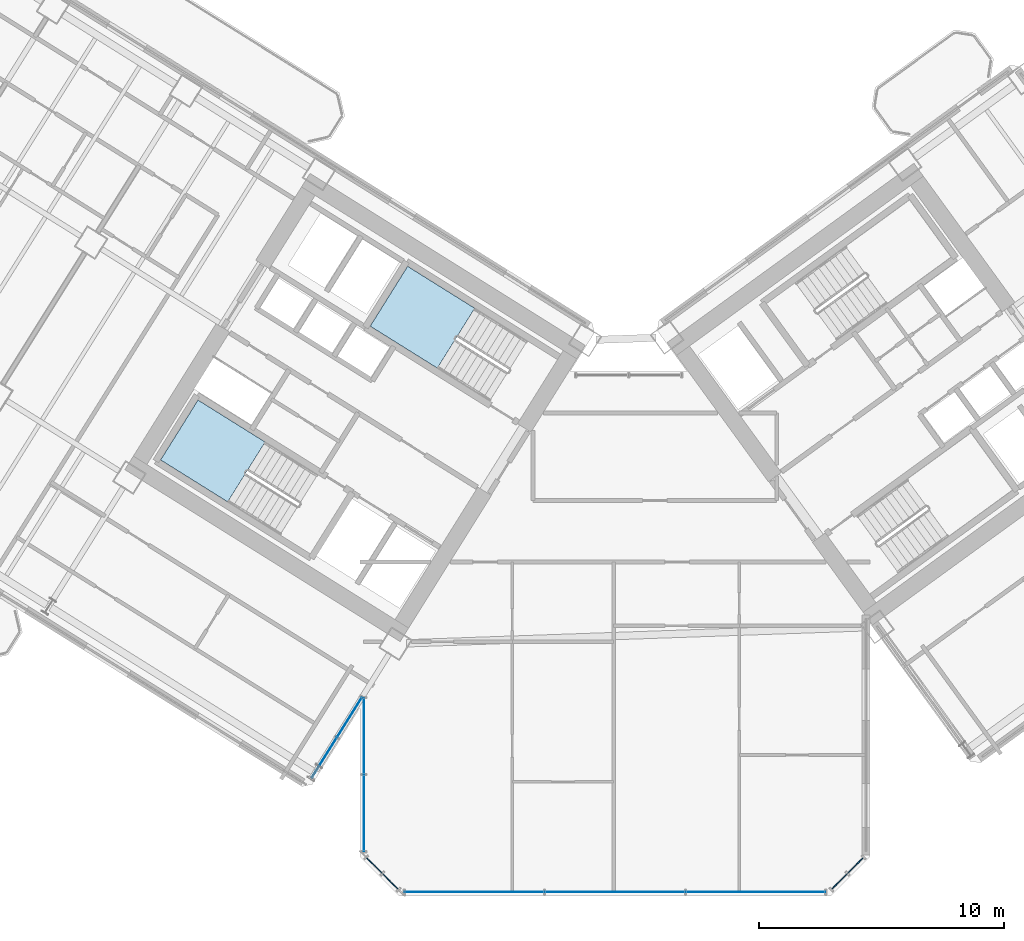
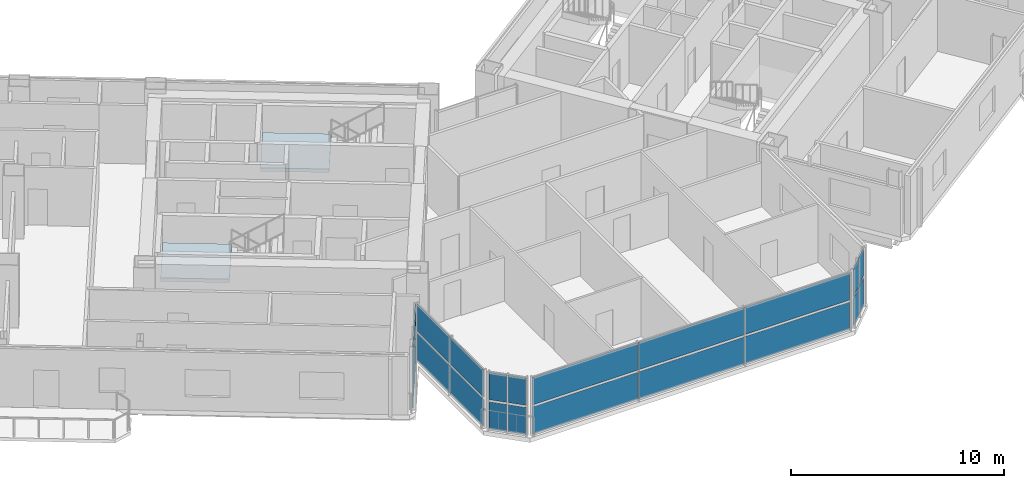
# One storey, part 13 of 28: 22 plates, 2 slabs, 7 elements without a shape of their own.
"""IFC4 building model written with IfcOpenShell, lengths in metres."""

from ifc_helpers import new_model, si_unit, direction, frame, origin, origin_2d, place, context, subcontext, project, spatial, polyline, rectangle, outline, extrude, source, transform, mapped, material, layer, layer_set, type_object, element, aggregate, save


model = new_model("IFC4")

# Units and contexts
model_context = context("Model", 3, precision=1e-05, world=origin(), true_north=direction((0.0, 1.0)))
body_context = subcontext(model_context, "Body", "Model", "MODEL_VIEW")
ifc_project = project(units=[si_unit("LENGTHUNIT", "METRE"), si_unit("AREAUNIT", "SQUARE_METRE"), si_unit("VOLUMEUNIT", "CUBIC_METRE"), si_unit("PLANEANGLEUNIT", "RADIAN"), si_unit("MASSUNIT", "GRAM", prefix="KILO")], contexts=[model_context])

# Site, building, storey
site_placement = place(None, origin())
site = spatial("IfcSite", under=ifc_project, at=site_placement, CompositionType="ELEMENT")
building_placement = place(site_placement, origin())
building = spatial("IfcBuilding", under=site, at=building_placement, Name="Tlacorven Tower", CompositionType="ELEMENT")
storey_placement = place(building_placement, frame((0.0, 0.0, 34.800048828125)))
storey = spatial("IfcBuildingStorey", under=building, at=storey_placement, Name="L08", CompositionType="ELEMENT", Elevation=34.800048828125)

# Stair, slab
ifc_material_1 = material(Name="Concrete C40/50", Category="concrete")
stair_type = type_object("IfcStairType", Name="ST-CORE-DLG", PredefinedType="HALF_TURN_STAIR", material=ifc_material_1)
stair_1_placement = place(storey_placement, origin())
stair_1 = element("IfcStair", 1, at=stair_1_placement, inside=storey, type_object=stair_type, Name="L08 Protected Exit Stair West 1", PredefinedType="HALF_TURN_STAIR")
ifc_layer_1 = layer(ifc_material_1, 0.199951171875)
ifc_layer_set_1 = layer_set([ifc_layer_1], Name="Concrete C40/50")
slab_type = type_object("IfcSlabType", Name="SL-LND-200", PredefinedType="LANDING", material=ifc_layer_set_1)
slab_1_placement = place(storey_placement, frame((0.0, 0.0, 1.599853515625)))
slab_1 = element("IfcSlab", 2, at=slab_1_placement, type_object=slab_type, Name="ST-W1 landing 1", PredefinedType="LANDING", context=body_context, shape_type="SweptSolid", body=[
    extrude(outline(polyline([(27.728515625, 20.315185546875), (24.9892578125, 22.02685546875), (23.463134765625, 19.58447265625), (26.2021484375, 17.872802734375), (27.728515625, 20.315185546875)])), origin(), (0.0, 0.0, 1.0), 0.2001953125),
])
aggregate(stair_1, [slab_1])

stair_2_placement = place(storey_placement, origin())
stair_2 = element("IfcStair", 3, at=stair_2_placement, inside=storey, type_object=stair_type, Name="L08 Protected Exit Stair West 2", PredefinedType="HALF_TURN_STAIR")
slab_2_placement = place(storey_placement, frame((0.0, 0.0, 1.599853515625)))
slab_2 = element("IfcSlab", 4, at=slab_2_placement, type_object=slab_type, Name="ST-W2 landing 1", PredefinedType="LANDING", context=body_context, shape_type="SweptSolid", body=[
    extrude(outline(polyline([(36.280029296875, 25.772705078125), (33.540771484375, 27.484375), (32.0146484375, 25.0419921875), (34.75390625, 23.33056640625), (36.280029296875, 25.772705078125)])), origin(), (0.0, 0.0, 1.0), 0.2001953125),
])
aggregate(stair_2, [slab_2])

# Curtain wall, plates
ifc_material_2 = material(Name="Dark solar low-E double glazing in aluminium frame", Category="aluminium")
curtain_wall_type = type_object("IfcCurtainWallType", Name="CW-TWR-LOW", PredefinedType="USERDEFINED", material=ifc_material_2)
curtain_wall_1_placement = place(storey_placement, origin())
curtain_wall_1 = element("IfcCurtainWall", 5, at=curtain_wall_1_placement, inside=storey, type_object=curtain_wall_type, Name="L08 CW-TWR-LOW Curtain Wall 39", ObjectType="UNITISED CURTAIN WALL", PredefinedType="USERDEFINED")
ifc_material_3 = material(Name="Dark solar double low-E glazing", Category="glass")
ifc_layer_2 = layer(ifc_material_3, 0.031982421875)
ifc_layer_set_2 = layer_set([ifc_layer_2], Name="Dark solar double low-E glazing")
plate_type = type_object("IfcPlateType", Name="CWP-02", PredefinedType="CURTAIN_PANEL", material=ifc_layer_set_2)
shared_shape_1 = source(origin(), body_context, "Body", "SweptSolid", [
    extrude(rectangle(XDim=0.878173828125, YDim=0.031982421875, at=origin_2d()), origin(), (0.0, 0.0, 1.0), 1.552978515625),
])
plate_1_placement = place(storey_placement, frame((51.815673828125, 3.0419921875, 0.06103515625), z_axis=(0.0, 0.0, 1.0), x_axis=(-0.707106781187, -0.707106781187, 0.0)))
plate_1 = element("IfcPlate", 6, at=plate_1_placement, type_object=plate_type, Name="CW-L08-039 Glazing Panel 1", PredefinedType="CURTAIN_PANEL", context=body_context, shape_type="MappedRepresentation", body=[
    mapped(shared_shape_1, transform((0.0, 0.0, 0.0), scale=1.0)),
])
plate_2_placement = place(storey_placement, frame((51.815673828125, 3.0419921875, 1.73583984375), z_axis=(0.0, 0.0, 1.0), x_axis=(-0.707106781187, -0.707106781187, 0.0)))
plate_2 = element("IfcPlate", 7, at=plate_2_placement, type_object=plate_type, Name="CW-L08-039 Glazing Panel 2", PredefinedType="CURTAIN_PANEL", context=body_context, shape_type="MappedRepresentation", body=[
    mapped(shared_shape_1, transform((0.0, 0.0, 0.0), scale=1.0)),
])
plate_3_placement = place(storey_placement, frame((51.157958984375, 2.38427734375, 0.06103515625), z_axis=(0.0, 0.0, 1.0), x_axis=(-0.707106781187, -0.707106781187, 0.0)))
plate_3 = element("IfcPlate", 8, at=plate_3_placement, type_object=plate_type, Name="CW-L08-039 Glazing Panel 3", PredefinedType="CURTAIN_PANEL", context=body_context, shape_type="MappedRepresentation", body=[
    mapped(shared_shape_1, transform((0.0, 0.0, 0.0), scale=1.0)),
])
plate_4_placement = place(storey_placement, frame((51.157958984375, 2.38427734375, 1.73583984375), z_axis=(0.0, 0.0, 1.0), x_axis=(-0.707106781187, -0.707106781187, 0.0)))
plate_4 = element("IfcPlate", 9, at=plate_4_placement, type_object=plate_type, Name="CW-L08-039 Glazing Panel 4", PredefinedType="CURTAIN_PANEL", context=body_context, shape_type="MappedRepresentation", body=[
    mapped(shared_shape_1, transform((0.0, 0.0, 0.0), scale=1.0)),
])
aggregate(curtain_wall_1, [plate_1, plate_2, plate_3, plate_4])

curtain_wall_2_placement = place(storey_placement, origin())
curtain_wall_2 = element("IfcCurtainWall", 10, at=curtain_wall_2_placement, inside=storey, type_object=curtain_wall_type, Name="L08 CW-TWR-LOW Curtain Wall 41", ObjectType="UNITISED CURTAIN WALL", PredefinedType="USERDEFINED")
plate_5_placement = place(storey_placement, frame((32.842041015625, 2.38427734375, 0.06103515625), z_axis=(0.0, 0.0, 1.0), x_axis=(-0.707106781187, 0.707106781187, 0.0)))
plate_5 = element("IfcPlate", 11, at=plate_5_placement, type_object=plate_type, Name="CW-L08-041 Glazing Panel 1", PredefinedType="CURTAIN_PANEL", context=body_context, shape_type="MappedRepresentation", body=[
    mapped(shared_shape_1, transform((0.0, 0.0, 0.0), scale=1.0)),
])
plate_6_placement = place(storey_placement, frame((32.842041015625, 2.38427734375, 1.73583984375), z_axis=(0.0, 0.0, 1.0), x_axis=(-0.707106781187, 0.707106781187, 0.0)))
plate_6 = element("IfcPlate", 12, at=plate_6_placement, type_object=plate_type, Name="CW-L08-041 Glazing Panel 2", PredefinedType="CURTAIN_PANEL", context=body_context, shape_type="MappedRepresentation", body=[
    mapped(shared_shape_1, transform((0.0, 0.0, 0.0), scale=1.0)),
])
plate_7_placement = place(storey_placement, frame((32.184326171875, 3.0419921875, 0.06103515625), z_axis=(0.0, 0.0, 1.0), x_axis=(-0.707106781187, 0.707106781187, 0.0)))
plate_7 = element("IfcPlate", 13, at=plate_7_placement, type_object=plate_type, Name="CW-L08-041 Glazing Panel 3", PredefinedType="CURTAIN_PANEL", context=body_context, shape_type="MappedRepresentation", body=[
    mapped(shared_shape_1, transform((0.0, 0.0, 0.0), scale=1.0)),
])
plate_8_placement = place(storey_placement, frame((32.184326171875, 3.0419921875, 1.73583984375), z_axis=(0.0, 0.0, 1.0), x_axis=(-0.707106781187, 0.707106781187, 0.0)))
plate_8 = element("IfcPlate", 14, at=plate_8_placement, type_object=plate_type, Name="CW-L08-041 Glazing Panel 4", PredefinedType="CURTAIN_PANEL", context=body_context, shape_type="MappedRepresentation", body=[
    mapped(shared_shape_1, transform((0.0, 0.0, 0.0), scale=1.0)),
])
aggregate(curtain_wall_2, [plate_5, plate_6, plate_7, plate_8])

curtain_wall_3_placement = place(storey_placement, origin())
curtain_wall_3 = element("IfcCurtainWall", 15, at=curtain_wall_3_placement, inside=storey, type_object=curtain_wall_type, Name="L08 CW-TWR-LOW Curtain Wall 40", ObjectType="UNITISED CURTAIN WALL", PredefinedType="USERDEFINED")
shared_shape_2 = source(origin(), body_context, "Body", "SweptSolid", [
    extrude(rectangle(XDim=5.668701171875, YDim=0.031982421875, at=origin_2d()), origin(), (0.0, 0.0, 1.0), 1.552978515625),
])
plate_9_placement = place(storey_placement, frame((47.73828125, 1.9599609375, 0.06103515625), z_axis=(0.0, 0.0, 1.0), x_axis=(-1.0, 0.0, 0.0)))
plate_9 = element("IfcPlate", 16, at=plate_9_placement, type_object=plate_type, Name="CW-L08-040 Glazing Panel 1", PredefinedType="CURTAIN_PANEL", context=body_context, shape_type="MappedRepresentation", body=[
    mapped(shared_shape_2, transform((0.0, 0.0, 0.0), scale=1.0)),
])
plate_10_placement = place(storey_placement, frame((47.73828125, 1.9599609375, 1.73583984375), z_axis=(0.0, 0.0, 1.0), x_axis=(-1.0, 0.0, 0.0)))
plate_10 = element("IfcPlate", 17, at=plate_10_placement, type_object=plate_type, Name="CW-L08-040 Glazing Panel 2", PredefinedType="CURTAIN_PANEL", context=body_context, shape_type="MappedRepresentation", body=[
    mapped(shared_shape_2, transform((0.0, 0.0, 0.0), scale=1.0)),
])
plate_11_placement = place(storey_placement, frame((36.26171875, 1.9599609375, 0.06103515625), z_axis=(0.0, 0.0, 1.0), x_axis=(-1.0, 0.0, 0.0)))
plate_11 = element("IfcPlate", 18, at=plate_11_placement, type_object=plate_type, Name="CW-L08-040 Glazing Panel 5", PredefinedType="CURTAIN_PANEL", context=body_context, shape_type="MappedRepresentation", body=[
    mapped(shared_shape_2, transform((0.0, 0.0, 0.0), scale=1.0)),
])
plate_12_placement = place(storey_placement, frame((36.26171875, 1.9599609375, 1.73583984375), z_axis=(0.0, 0.0, 1.0), x_axis=(-1.0, 0.0, 0.0)))
plate_12 = element("IfcPlate", 19, at=plate_12_placement, type_object=plate_type, Name="CW-L08-040 Glazing Panel 6", PredefinedType="CURTAIN_PANEL", context=body_context, shape_type="MappedRepresentation", body=[
    mapped(shared_shape_2, transform((0.0, 0.0, 0.0), scale=1.0)),
])
shared_shape_3 = source(origin(), body_context, "Body", "SweptSolid", [
    extrude(rectangle(XDim=5.703857421875, YDim=0.031982421875, at=origin_2d()), origin(), (0.0, 0.0, 1.0), 1.552978515625),
])
plate_13_placement = place(storey_placement, frame((42.0, 1.9599609375, 0.06103515625), z_axis=(0.0, 0.0, 1.0), x_axis=(-1.0, 0.0, 0.0)))
plate_13 = element("IfcPlate", 20, at=plate_13_placement, type_object=plate_type, Name="CW-L08-040 Glazing Panel 3", PredefinedType="CURTAIN_PANEL", context=body_context, shape_type="MappedRepresentation", body=[
    mapped(shared_shape_3, transform((0.0, 0.0, 0.0), scale=1.0)),
])
plate_14_placement = place(storey_placement, frame((42.0, 1.9599609375, 1.73583984375), z_axis=(0.0, 0.0, 1.0), x_axis=(-1.0, 0.0, 0.0)))
plate_14 = element("IfcPlate", 21, at=plate_14_placement, type_object=plate_type, Name="CW-L08-040 Glazing Panel 4", PredefinedType="CURTAIN_PANEL", context=body_context, shape_type="MappedRepresentation", body=[
    mapped(shared_shape_3, transform((0.0, 0.0, 0.0), scale=1.0)),
])
aggregate(curtain_wall_3, [plate_9, plate_10, plate_13, plate_14, plate_11, plate_12])

curtain_wall_4_placement = place(storey_placement, origin())
curtain_wall_4 = element("IfcCurtainWall", 22, at=curtain_wall_4_placement, inside=storey, type_object=curtain_wall_type, Name="L08 CW-TWR-LOW Curtain Wall 42", ObjectType="UNITISED CURTAIN WALL", PredefinedType="USERDEFINED")
shared_shape_4 = source(origin(), body_context, "Body", "SweptSolid", [
    extrude(rectangle(XDim=3.09423828125, YDim=0.031982421875, at=origin_2d()), origin(), (0.0, 0.0, 1.0), 1.552978515625),
])
plate_15_placement = place(storey_placement, frame((31.760009765625, 5.17431640625, 0.06103515625), z_axis=(0.0, 0.0, 1.0), x_axis=(0.0, 1.0, 0.0)))
plate_15 = element("IfcPlate", 23, at=plate_15_placement, type_object=plate_type, Name="CW-L08-042 Glazing Panel 1", PredefinedType="CURTAIN_PANEL", context=body_context, shape_type="MappedRepresentation", body=[
    mapped(shared_shape_4, transform((0.0, 0.0, 0.0), scale=1.0)),
])
plate_16_placement = place(storey_placement, frame((31.760009765625, 5.17431640625, 1.73583984375), z_axis=(0.0, 0.0, 1.0), x_axis=(0.0, 1.0, 0.0)))
plate_16 = element("IfcPlate", 24, at=plate_16_placement, type_object=plate_type, Name="CW-L08-042 Glazing Panel 2", PredefinedType="CURTAIN_PANEL", context=body_context, shape_type="MappedRepresentation", body=[
    mapped(shared_shape_4, transform((0.0, 0.0, 0.0), scale=1.0)),
])
plate_17_placement = place(storey_placement, frame((31.760009765625, 8.320556640625, 0.06103515625), z_axis=(0.0, 0.0, 1.0), x_axis=(0.0, 1.0, 0.0)))
plate_17 = element("IfcPlate", 25, at=plate_17_placement, type_object=plate_type, Name="CW-L08-042 Glazing Panel 3", PredefinedType="CURTAIN_PANEL", context=body_context, shape_type="MappedRepresentation", body=[
    mapped(shared_shape_4, transform((0.0, 0.0, 0.0), scale=1.0)),
])
plate_18_placement = place(storey_placement, frame((31.760009765625, 8.320556640625, 1.73583984375), z_axis=(0.0, 0.0, 1.0), x_axis=(0.0, 1.0, 0.0)))
plate_18 = element("IfcPlate", 26, at=plate_18_placement, type_object=plate_type, Name="CW-L08-042 Glazing Panel 4", PredefinedType="CURTAIN_PANEL", context=body_context, shape_type="MappedRepresentation", body=[
    mapped(shared_shape_4, transform((0.0, 0.0, 0.0), scale=1.0)),
])
aggregate(curtain_wall_4, [plate_15, plate_16, plate_17, plate_18])

curtain_wall_5_placement = place(storey_placement, origin())
curtain_wall_5 = element("IfcCurtainWall", 27, at=curtain_wall_5_placement, inside=storey, type_object=curtain_wall_type, Name="L08 CW-TWR-LOW Curtain Wall 43", ObjectType="UNITISED CURTAIN WALL", PredefinedType="USERDEFINED")
shared_shape_5 = source(origin(), body_context, "Body", "SweptSolid", [
    extrude(rectangle(XDim=1.896240234375, YDim=0.031982421875, at=origin_2d()), origin(), (0.0, 0.0, 1.0), 1.552978515625),
])
plate_19_placement = place(storey_placement, frame((31.172119140625, 9.087890625, 0.06103515625), z_axis=(0.0, 0.0, 1.0), x_axis=(-0.529918710919, -0.848048441905, 0.0)))
plate_19 = element("IfcPlate", 28, at=plate_19_placement, type_object=plate_type, Name="CW-L08-043 Glazing Panel 1", PredefinedType="CURTAIN_PANEL", context=body_context, shape_type="MappedRepresentation", body=[
    mapped(shared_shape_5, transform((0.0, 0.0, 0.0), scale=1.0)),
])
plate_20_placement = place(storey_placement, frame((31.172119140625, 9.087890625, 1.73583984375), z_axis=(0.0, 0.0, 1.0), x_axis=(-0.529918710919, -0.848048441905, 0.0)))
plate_20 = element("IfcPlate", 29, at=plate_20_placement, type_object=plate_type, Name="CW-L08-043 Glazing Panel 2", PredefinedType="CURTAIN_PANEL", context=body_context, shape_type="MappedRepresentation", body=[
    mapped(shared_shape_5, transform((0.0, 0.0, 0.0), scale=1.0)),
])
plate_21_placement = place(storey_placement, frame((30.1396484375, 7.435791015625, 0.06103515625), z_axis=(0.0, 0.0, 1.0), x_axis=(-0.529918710919, -0.848048441905, 0.0)))
plate_21 = element("IfcPlate", 30, at=plate_21_placement, type_object=plate_type, Name="CW-L08-043 Glazing Panel 3", PredefinedType="CURTAIN_PANEL", context=body_context, shape_type="MappedRepresentation", body=[
    mapped(shared_shape_5, transform((0.0, 0.0, 0.0), scale=1.0)),
])
plate_22_placement = place(storey_placement, frame((30.1396484375, 7.435791015625, 1.73583984375), z_axis=(0.0, 0.0, 1.0), x_axis=(-0.529918710919, -0.848048441905, 0.0)))
plate_22 = element("IfcPlate", 31, at=plate_22_placement, type_object=plate_type, Name="CW-L08-043 Glazing Panel 4", PredefinedType="CURTAIN_PANEL", context=body_context, shape_type="MappedRepresentation", body=[
    mapped(shared_shape_5, transform((0.0, 0.0, 0.0), scale=1.0)),
])
aggregate(curtain_wall_5, [plate_19, plate_20, plate_21, plate_22])

save(model, "model.ifc")
